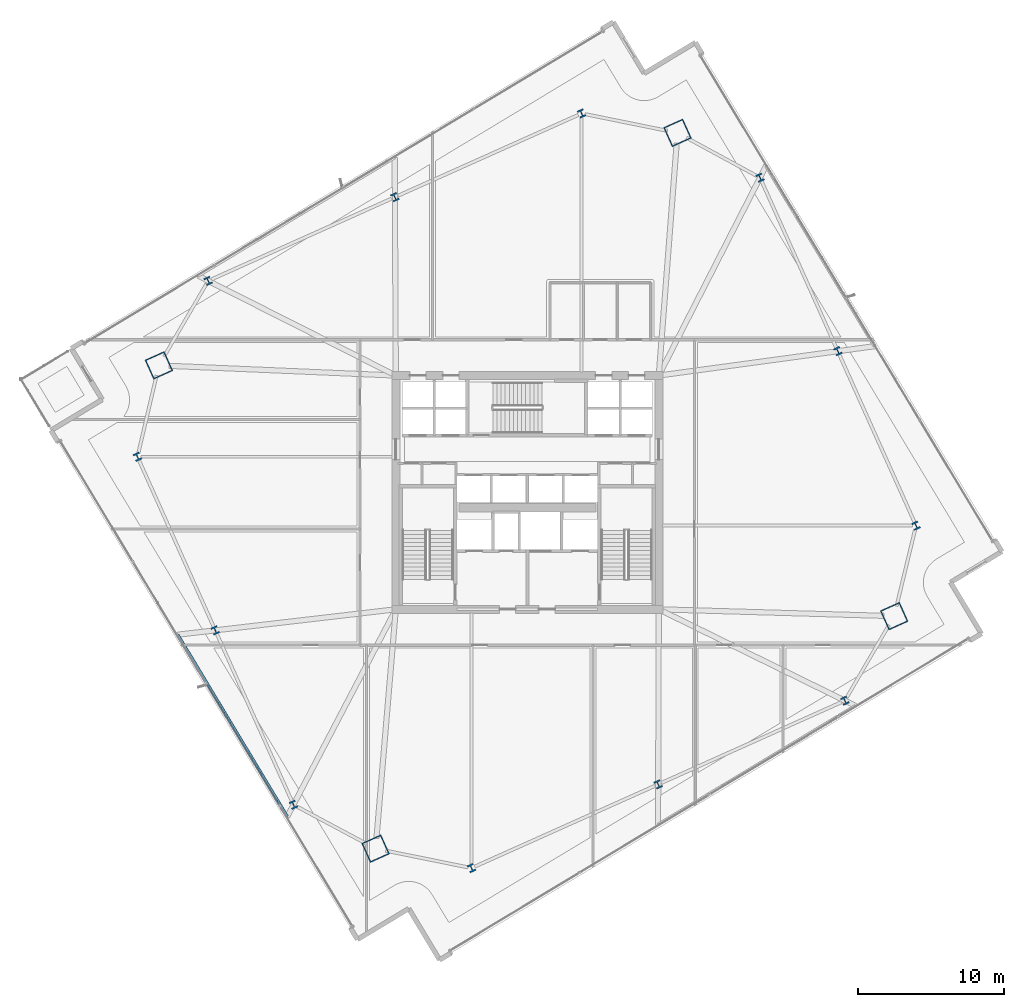
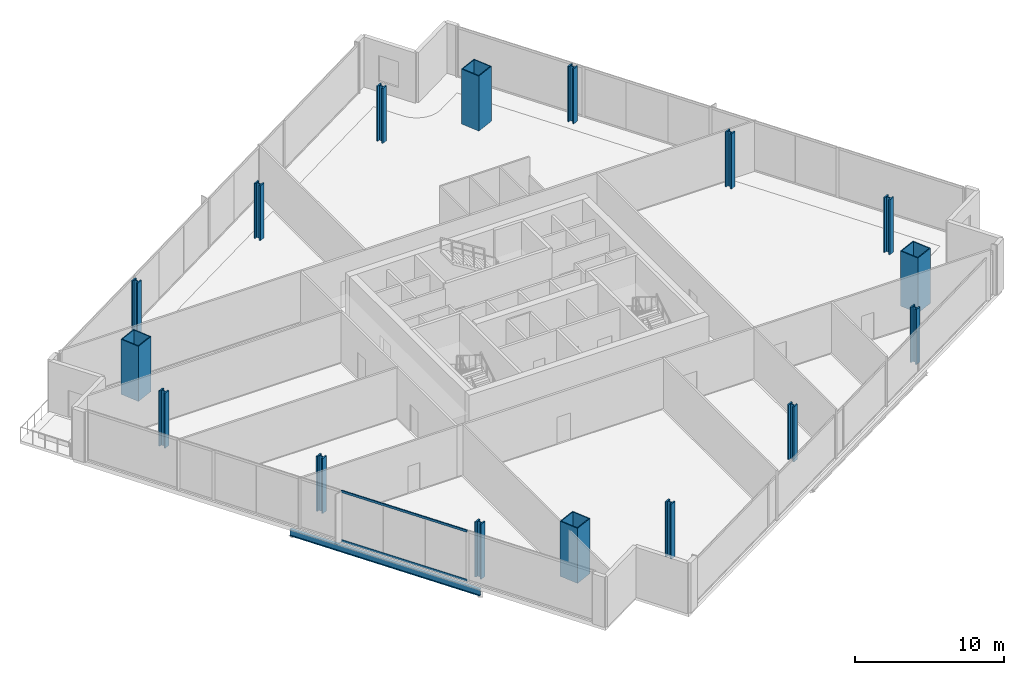
# One storey, part 1 of 30: 16 columns, 2 members, 1 beam, 1 element without a shape of its own.
"""IFC4 building model written with IfcOpenShell, lengths in metres."""

from ifc_helpers import new_model, si_unit, direction, frame, origin, origin_2d, place, context, subcontext, project, spatial, hollow_rectangle, i_section, extrude, material, material_profile, profile_set, type_object, element, aggregate, save


model = new_model("IFC4")

# Units and contexts
model_context = context("Model", 3, precision=1e-05, world=origin(), true_north=direction((0.0, 1.0)))
body_context = subcontext(model_context, "Body", "Model", "MODEL_VIEW")
ifc_project = project(units=[si_unit("LENGTHUNIT", "METRE"), si_unit("AREAUNIT", "SQUARE_METRE"), si_unit("VOLUMEUNIT", "CUBIC_METRE"), si_unit("PLANEANGLEUNIT", "RADIAN"), si_unit("MASSUNIT", "GRAM", prefix="KILO")], contexts=[model_context])

# Site, building, storey
site_placement = place(None, origin())
site = spatial("IfcSite", under=ifc_project, at=site_placement, CompositionType="ELEMENT")
building_placement = place(site_placement, origin())
building = spatial("IfcBuilding", under=site, at=building_placement, Name="Haldenkirk Collegiate Tower", CompositionType="ELEMENT")
storey_placement = place(building_placement, frame((0.0, 0.0, 131.699951171875)))
storey = spatial("IfcBuildingStorey", under=building, at=storey_placement, Name="L32", CompositionType="ELEMENT", Elevation=131.699951171875)

# Columns
ifc_material_1 = material(Name="Steel ASTM A913 Grade 65", Category="steel")
ifc_material_profile_1 = material_profile(ifc_material_1, i_section(OverallWidth=0.44189453125, OverallDepth=0.531005859375, WebThickness=0.06591796875, FlangeThickness=0.105712890625, at=origin_2d()), Name="W14X605")
ifc_profile_set_1 = profile_set([ifc_material_profile_1], Name="Steel ASTM A913 Grade 65")
column_type_1 = type_object("IfcColumnType", Name="COL-INT-W14X605", PredefinedType="COLUMN", material=ifc_profile_set_1)
for number, where, z_axis, x_axis, name in (
    (1, (32.181396484375, 0.287353515625, 0.0), (0.0, 0.0, 1.0), (0.912477494148, 0.409126902895, 0.0), "L32 perimeter gravity column PC-S1"),
    (2, (44.9599609375, 6.0166015625, 0.0), (0.0, 0.0, 1.0), (0.912477494148, 0.409126902895, 0.0), "L32 perimeter gravity column PC-S2"),
    (3, (57.73828125, 11.74609375, 0.0), (0.0, 0.0, 1.0), (0.912477494148, 0.409126902895, 0.0), "L32 perimeter gravity column PC-S3"),
    (4, (62.608642578125, 23.727294921875, 0.0), (0.0, 0.0, 1.0), (0.912477494148, 0.409126902895, 0.0), "L32 perimeter gravity column PC-E1"),
    (5, (57.255126953125, 35.667236328125, 0.0), (0.0, 0.0, 1.0), (0.912477494148, 0.409126902895, 0.0), "L32 perimeter gravity column PC-E2"),
    (6, (51.930419921875, 47.543212890625, 0.0), (0.0, 0.0, 1.0), (0.912477494148, 0.409126902895, 0.0), "L32 perimeter gravity column PC-E3"),
    (7, (39.71630859375, 51.94091796875, 0.0), (0.0, 0.0, 1.0), (0.912477494148, 0.409126902895, 0.0), "L32 perimeter gravity column PC-N1"),
    (8, (26.937744140625, 46.21142578125, 0.0), (0.0, 0.0, 1.0), (0.912477494148, 0.409126902895, 0.0), "L32 perimeter gravity column PC-N2"),
    (9, (14.159423828125, 40.48193359375, 0.0), (0.0, 0.0, 1.0), (0.912477494148, 0.409126902895, 0.0), "L32 perimeter gravity column PC-N3"),
    (10, (9.317626953125, 28.436767578125, 0.0), (0.0, 0.0, 1.0), (0.912477494148, 0.409126902895, 0.0), "L32 perimeter gravity column PC-W1"),
    (11, (14.642578125, 16.560791015625, 0.0), (0.0, 0.0, 1.0), (0.912477494148, 0.409126902895, 0.0), "L32 perimeter gravity column PC-W2"),
    (12, (19.995849609375, 4.62109375, 0.0), (0.0, 0.0, 1.0), (0.912477494148, 0.409126902895, 0.0), "L32 perimeter gravity column PC-W3"),
):
    element("IfcColumn", number, at=place(storey_placement, frame(where, z_axis=z_axis, x_axis=x_axis)), inside=storey, type_object=column_type_1, Name=name, PredefinedType="COLUMN", context=body_context, shape_type="SweptSolid", body=[
        extrude(i_section(OverallWidth=0.44189453125, OverallDepth=0.531005859375, WebThickness=0.06591796875, FlangeThickness=0.105712890625, at=origin_2d()), origin(), (0.0, 0.0, 1.0), 4.5),
    ])
ifc_material_2 = material(Name="Steel ASTM A572 Grade 50", Category="steel")
ifc_material_profile_2 = material_profile(ifc_material_2, hollow_rectangle(XDim=1.449951171875, YDim=1.449951171875, WallThickness=0.070068359375, at=origin_2d()), Name="BOX1450X1450X70")
ifc_profile_set_2 = profile_set([ifc_material_profile_2], Name="Steel ASTM A572 Grade 50")
column_type_2 = type_object("IfcColumnType", Name="COL-MEGA-BOX1450X1450X70", PredefinedType="COLUMN", material=ifc_profile_set_2)
for number, where, z_axis, x_axis, name in (
    (13, (25.61669921875, 1.617919921875, 0.0), (0.0, 0.0, 1.0), (0.912477494148, 0.409126902895, 0.0), "L32 corner mega-column MC1"),
    (14, (61.112060546875, 17.532958984375, 0.0), (0.0, 0.0, 1.0), (0.912477494148, 0.409126902895, 0.0), "L32 corner mega-column MC2"),
    (15, (46.281005859375, 50.610107421875, 0.0), (0.0, 0.0, 1.0), (0.912477494148, 0.409126902895, 0.0), "L32 corner mega-column MC3"),
    (16, (10.78564453125, 34.6953125, 0.0), (0.0, 0.0, 1.0), (0.912477494148, 0.409126902895, 0.0), "L32 corner mega-column MC4"),
):
    element("IfcColumn", number, at=place(storey_placement, frame(where, z_axis=z_axis, x_axis=x_axis)), inside=storey, type_object=column_type_2, Name=name, PredefinedType="COLUMN", context=body_context, shape_type="SweptSolid", body=[
        extrude(hollow_rectangle(XDim=1.449951171875, YDim=1.449951171875, WallThickness=0.070068359375, at=origin_2d()), origin(), (0.0, 0.0, 1.0), 4.5),
    ])

# Beam
ifc_material_3 = material(Name="Steel ASTM A992 Grade 50", Category="steel")
ifc_material_profile_3 = material_profile(ifc_material_3, i_section(OverallWidth=0.2119140625, OverallDepth=0.5439453125, WebThickness=0.01318359375, FlangeThickness=0.021240234375, at=origin_2d()), Name="W21X83")
ifc_profile_set_3 = profile_set([ifc_material_profile_3], Name="Steel ASTM A992 Grade 50")
beam_type = type_object("IfcBeamType", Name="BM-SPANDREL-W21X83", PredefinedType="SPANDREL", material=ifc_profile_set_3)
beam_placement = place(storey_placement, frame((12.063720703125, 16.260498046875, -0.6220703125), z_axis=(0.515798497922, -0.85670993314, 0.0), x_axis=(0.85670993314, 0.515798497922, 0.0)))
element("IfcBeam", 17, at=beam_placement, inside=storey, type_object=beam_type, Name="L32 outer facade edge beam 4", PredefinedType="SPANDREL", context=body_context, shape_type="SweptSolid", body=[
    extrude(i_section(OverallWidth=0.2119140625, OverallDepth=0.5439453125, WebThickness=0.01318359375, FlangeThickness=0.021240234375, at=origin_2d()), origin(), (0.0, 0.0, 1.0), 14.544921875),
])

# Curtain wall, members
ifc_material_4 = material(Name="Anodised architectural bronze aluminium", Category="aluminium")
curtain_wall_type = type_object("IfcCurtainWallType", Name="CW-SYS1-CONVEX-LOW", PredefinedType="USERDEFINED", material=ifc_material_4)
curtain_wall_placement = place(storey_placement, origin())
curtain_wall = element("IfcCurtainWall", 18, at=curtain_wall_placement, inside=storey, type_object=curtain_wall_type, Name="L32 Lower tower convex bronze-framed unitised curtain wall", ObjectType="UNITISED CURTAIN WALL", PredefinedType="USERDEFINED")
ifc_material_profile_4 = material_profile(ifc_material_4, hollow_rectangle(XDim=0.080078125, YDim=0.179931640625, WallThickness=0.0048828125, at=origin_2d()), Name="CW-TRN-1A")
ifc_profile_set_4 = profile_set([ifc_material_profile_4], Name="Anodised architectural bronze aluminium")
member_type = type_object("IfcMemberType", Name="CW-TRN-1A", PredefinedType="USERDEFINED", material=ifc_profile_set_4)
member_1_placement = place(storey_placement, frame((19.02783203125, 4.61572265625, 0.0400390625), z_axis=(-0.515772804891, 0.856725401593, 0.0), x_axis=(-0.856725401593, -0.515772804891, 0.0)))
member_1 = element("IfcMember", 19, at=member_1_placement, type_object=member_type, Name="CW-1A transom 2.1", ObjectType="TRANSOM", PredefinedType="USERDEFINED", context=body_context, shape_type="SweptSolid", body=[
    extrude(hollow_rectangle(XDim=0.080078125, YDim=0.179931640625, WallThickness=0.0048828125, at=origin_2d()), origin(), (0.0, 0.0, 1.0), 9.638916015625),
])
member_2_placement = place(storey_placement, frame((19.02783203125, 4.61572265625, 4.06005859375), z_axis=(-0.515772804891, 0.856725401593, 0.0), x_axis=(-0.856725401593, -0.515772804891, 0.0)))
member_2 = element("IfcMember", 20, at=member_2_placement, type_object=member_type, Name="CW-1A transom 2.2", ObjectType="TRANSOM", PredefinedType="USERDEFINED", context=body_context, shape_type="SweptSolid", body=[
    extrude(hollow_rectangle(XDim=0.080078125, YDim=0.179931640625, WallThickness=0.0048828125, at=origin_2d()), origin(), (0.0, 0.0, 1.0), 9.638916015625),
])
aggregate(curtain_wall, [member_1, member_2])

save(model, "model.ifc")
